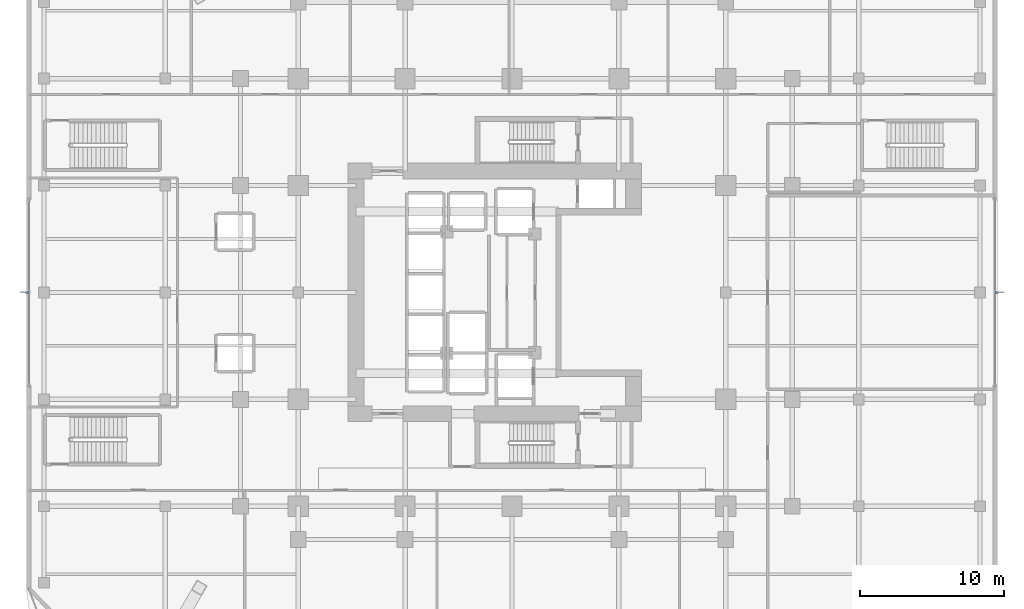
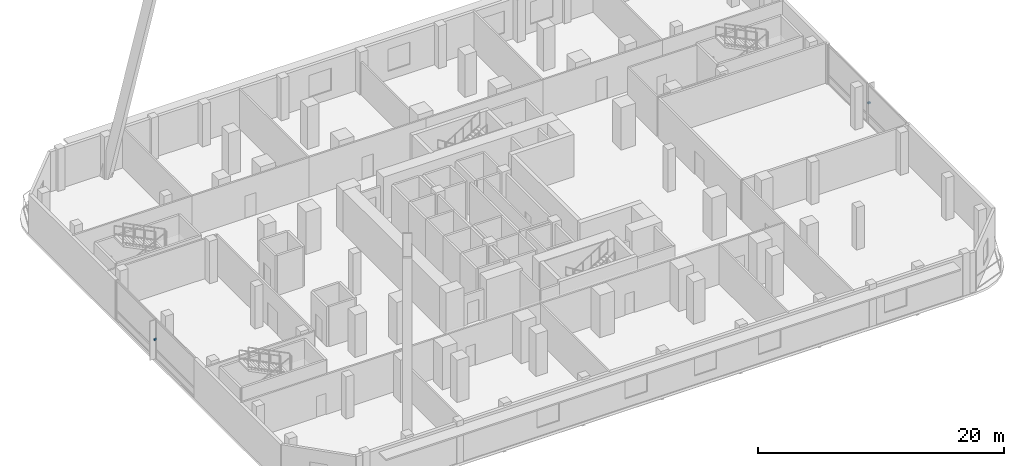
# One storey, part 12 of 19: 2 discrete accessories.
"""IFC4 building model written with IfcOpenShell, lengths in metres."""

from ifc_helpers import new_model, si_unit, direction, frame, origin, origin_2d, place, context, subcontext, project, spatial, rectangle, extrude, material, type_object, element, save


model = new_model("IFC4")

# Units and contexts
model_context = context("Model", 3, precision=1e-05, world=origin(), true_north=direction((0.0, 1.0)))
body_context = subcontext(model_context, "Body", "Model", "MODEL_VIEW")
ifc_project = project(units=[si_unit("LENGTHUNIT", "METRE"), si_unit("AREAUNIT", "SQUARE_METRE"), si_unit("VOLUMEUNIT", "CUBIC_METRE"), si_unit("PLANEANGLEUNIT", "RADIAN"), si_unit("MASSUNIT", "GRAM", prefix="KILO")], contexts=[model_context])

# Site, building, storey
site_placement = place(None, origin())
site = spatial("IfcSite", under=ifc_project, at=site_placement, CompositionType="ELEMENT")
building_placement = place(site_placement, origin())
building = spatial("IfcBuilding", under=site, at=building_placement, Name="Khorvyn Point Tower", CompositionType="ELEMENT")
storey_placement = place(building_placement, frame((0.0, 0.0, 4.800048828125)))
storey = spatial("IfcBuildingStorey", under=building, at=storey_placement, Name="L02", CompositionType="ELEMENT", Elevation=4.800048828125)

# Discrete accessories
ifc_material = material(Name="Stainless steel 1.4401", Category="steel")
discrete_accessory_type = type_object("IfcDiscreteAccessoryType", Name="Stainless Steel 316 Facade Fin Fixing Bracket", PredefinedType="BRACKET", material=ifc_material)
for number, where, z_axis, x_axis, name in (
    (1, (-33.550048828125, 0.0, 1.89990234375), (0.0, 0.0, 1.0), (0.0, 1.0, 0.0), "L02 Solar Fin Fixing Bracket 01"),
    (2, (33.550048828125, 0.0, 1.89990234375), (0.0, 0.0, 1.0), (0.0, 1.0, 0.0), "L02 Solar Fin Fixing Bracket 01"),
):
    element("IfcDiscreteAccessory", number, at=place(storey_placement, frame(where, z_axis=z_axis, x_axis=x_axis)), inside=storey, type_object=discrete_accessory_type, Name=name, PredefinedType="BRACKET", context=body_context, shape_type="SweptSolid", body=[
        extrude(rectangle(XDim=0.159912109375, YDim=0.260009765625, at=origin_2d()), origin(), (0.0, 0.0, 1.0), 0.159912109375),
    ])

save(model, "model.ifc")
